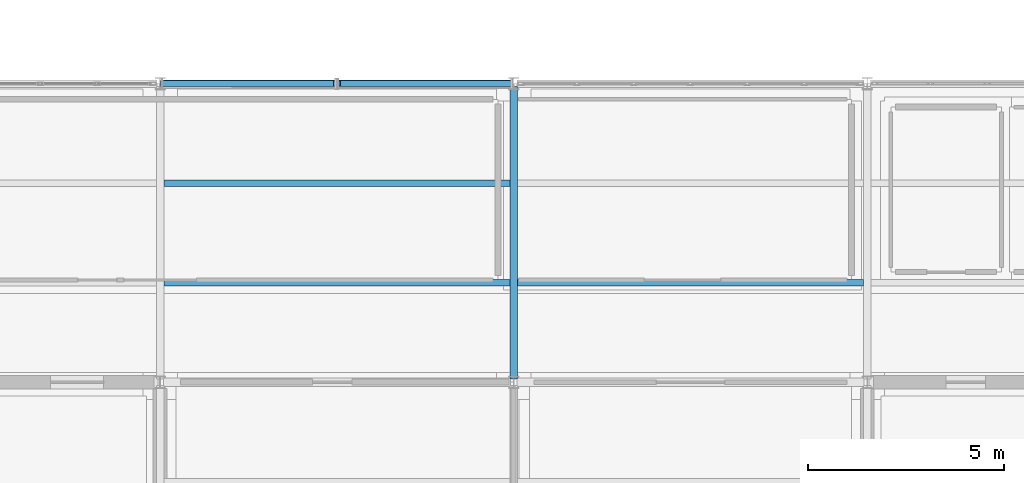
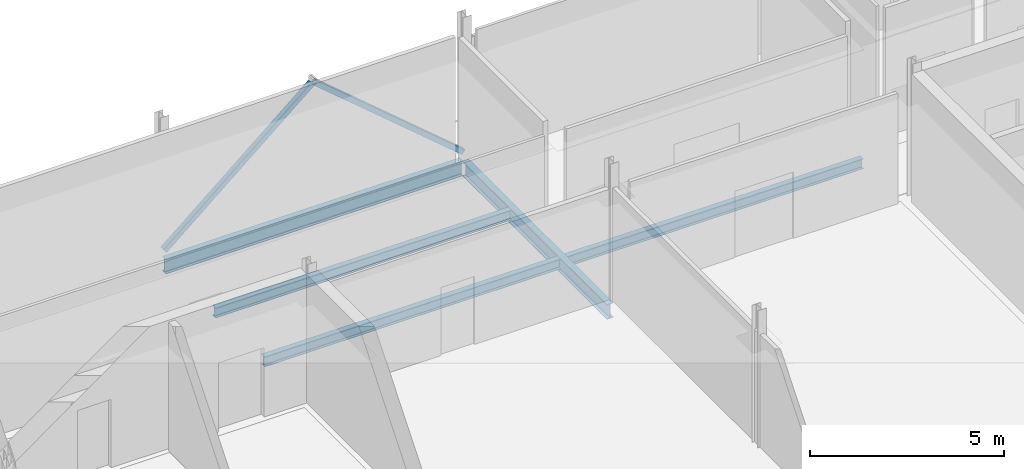
# One storey, part 7 of 24: 5 beams, 2 members.
"""IFC4 building model written with IfcOpenShell, lengths in metres."""

from ifc_helpers import new_model, si_unit, direction, frame, origin, origin_2d, place, context, subcontext, project, spatial, hollow_rectangle, i_section, extrude, material, material_profile, profile_set, type_object, element, save


model = new_model("IFC4")

# Units and contexts
model_context = context("Model", 3, precision=1e-05, world=origin(), true_north=direction((0.0, 1.0)))
body_context = subcontext(model_context, "Body", "Model", "MODEL_VIEW")
ifc_project = project(units=[si_unit("LENGTHUNIT", "METRE"), si_unit("AREAUNIT", "SQUARE_METRE"), si_unit("VOLUMEUNIT", "CUBIC_METRE"), si_unit("PLANEANGLEUNIT", "RADIAN"), si_unit("MASSUNIT", "GRAM", prefix="KILO")], contexts=[model_context])

# Site, building, storey
site_placement = place(None, origin())
site = spatial("IfcSite", under=ifc_project, at=site_placement, CompositionType="ELEMENT")
building_placement = place(site_placement, origin())
building = spatial("IfcBuilding", under=site, at=building_placement, Name="Caisbarro Railhouse Central Library", CompositionType="ELEMENT")
storey_placement = place(building_placement, frame((0.0, 0.0, 22.320068359375)))
storey = spatial("IfcBuildingStorey", under=building, at=storey_placement, Name="L05", CompositionType="ELEMENT", Elevation=22.320068359375)

# Beams
ifc_material = material(Name="Steel ASTM A572 Grade 50", Category="steel")
ifc_material_profile_1 = material_profile(ifc_material, i_section(OverallWidth=0.194091796875, OverallDepth=0.468994140625, WebThickness=0.0126953125, FlangeThickness=0.0205078125, FilletRadius=0.01806640625, at=origin_2d()), Name="W460X106.0")
ifc_profile_set_1 = profile_set([ifc_material_profile_1], Name="Steel ASTM A572 Grade 50")
beam_type_1 = type_object("IfcBeamType", Name="BM-G07", PredefinedType="BEAM", material=ifc_profile_set_1)
beam_1_placement = place(storey_placement, frame((81.0, 15.280029296875, -0.474609375), z_axis=(0.0, 1.0, 0.0), x_axis=(-1.0, 0.0, 0.0)))
element("IfcBeam", 1, at=beam_1_placement, inside=storey, type_object=beam_type_1, Name="G07 beam L05 #2198", PredefinedType="BEAM", context=body_context, shape_type="SweptSolid", body=[
    extrude(i_section(OverallWidth=0.194091796875, OverallDepth=0.468994140625, WebThickness=0.0126953125, FlangeThickness=0.0205078125, FilletRadius=0.01806640625, at=origin_2d()), origin(), (0.0, 0.0, 1.0), 7.43994140625),
])
ifc_material_profile_2 = material_profile(ifc_material, i_section(OverallWidth=0.1669921875, OverallDepth=0.31689453125, WebThickness=0.007568359375, FlangeThickness=0.01318359375, FilletRadius=0.011962890625, at=origin_2d()), Name="W310X52.0")
ifc_profile_set_2 = profile_set([ifc_material_profile_2], Name="Steel ASTM A572 Grade 50")
beam_type_2 = type_object("IfcBeamType", Name="BM-J02", PredefinedType="JOIST", material=ifc_profile_set_2)
for number, where, z_axis, x_axis, name in (
    (2, (72.096923828125, 17.7333984375, -0.398681640625), (1.0, 0.0, 0.0), (0.0, 1.0, 0.0), "J02 beam L05 #2211"),
    (3, (72.096923828125, 20.2666015625, -0.398681640625), (1.0, 0.0, 0.0), (0.0, 1.0, 0.0), "J02 beam L05 #2212"),
    (4, (81.096923828125, 17.7333984375, -0.398681640625), (1.0, 0.0, 0.0), (0.0, 1.0, 0.0), "J02 beam L05 #2217"),
):
    element("IfcBeam", number, at=place(storey_placement, frame(where, z_axis=z_axis, x_axis=x_axis)), inside=storey, type_object=beam_type_2, Name=name, PredefinedType="JOIST", context=body_context, shape_type="SweptSolid", body=[
        extrude(i_section(OverallWidth=0.1669921875, OverallDepth=0.31689453125, WebThickness=0.007568359375, FlangeThickness=0.01318359375, FilletRadius=0.011962890625, at=origin_2d()), origin(), (0.0, 0.0, 1.0), 8.80615234375),
    ])
ifc_material_profile_3 = material_profile(ifc_material, i_section(OverallWidth=0.18994140625, OverallDepth=0.45703125, WebThickness=0.009033203125, FlangeThickness=0.014404296875, FilletRadius=0.01806640625, at=origin_2d()), Name="W460X74.0")
ifc_profile_set_3 = profile_set([ifc_material_profile_3], Name="Steel ASTM A572 Grade 50")
beam_type_3 = type_object("IfcBeamType", Name="BM-SP01", PredefinedType="SPANDREL", material=ifc_profile_set_3)
beam_2_placement = place(storey_placement, frame((72.080078125, 22.800048828125, -0.468505859375), z_axis=(1.0, 0.0, 0.0), x_axis=(0.0, 1.0, 0.0)))
element("IfcBeam", 5, at=beam_2_placement, inside=storey, type_object=beam_type_3, Name="SP01 beam L05 #2187", PredefinedType="SPANDREL", context=body_context, shape_type="SweptSolid", body=[
    extrude(i_section(OverallWidth=0.18994140625, OverallDepth=0.45703125, WebThickness=0.009033203125, FlangeThickness=0.014404296875, FilletRadius=0.01806640625, at=origin_2d()), origin(), (0.0, 0.0, 1.0), 8.83984375),
])

# Members
ifc_material_profile_4 = material_profile(ifc_material, hollow_rectangle(XDim=0.14990234375, YDim=0.14990234375, WallThickness=0.010009765625, at=origin_2d()), Name="HSS150X150X10")
ifc_profile_set_4 = profile_set([ifc_material_profile_4], Name="Steel ASTM A572 Grade 50")
member_type = type_object("IfcMemberType", Name="MEM-BR02", PredefinedType="BRACE", material=ifc_profile_set_4)
for number, where, z_axis, x_axis, name in (
    (6, (72.06005859375, 22.800048828125, 0.02001953125), (0.76364499123, 0.0, 0.645636373952), (0.0, 1.0, 0.0), "BR02 chevron brace Y22-M L05.1"),
    (7, (80.93994140625, 22.800048828125, 0.02001953125), (-0.76364499123, 0.0, 0.645636373952), (0.0, -1.0, 0.0), "BR02 chevron brace Y22-M L05.2"),
):
    element("IfcMember", number, at=place(storey_placement, frame(where, z_axis=z_axis, x_axis=x_axis)), inside=storey, type_object=member_type, Name=name, PredefinedType="BRACE", context=body_context, shape_type="SweptSolid", body=[
        extrude(hollow_rectangle(XDim=0.14990234375, YDim=0.14990234375, WallThickness=0.010009765625, at=origin_2d()), origin(), (0.0, 0.0, 1.0), 5.76171875),
    ])

save(model, "model.ifc")
